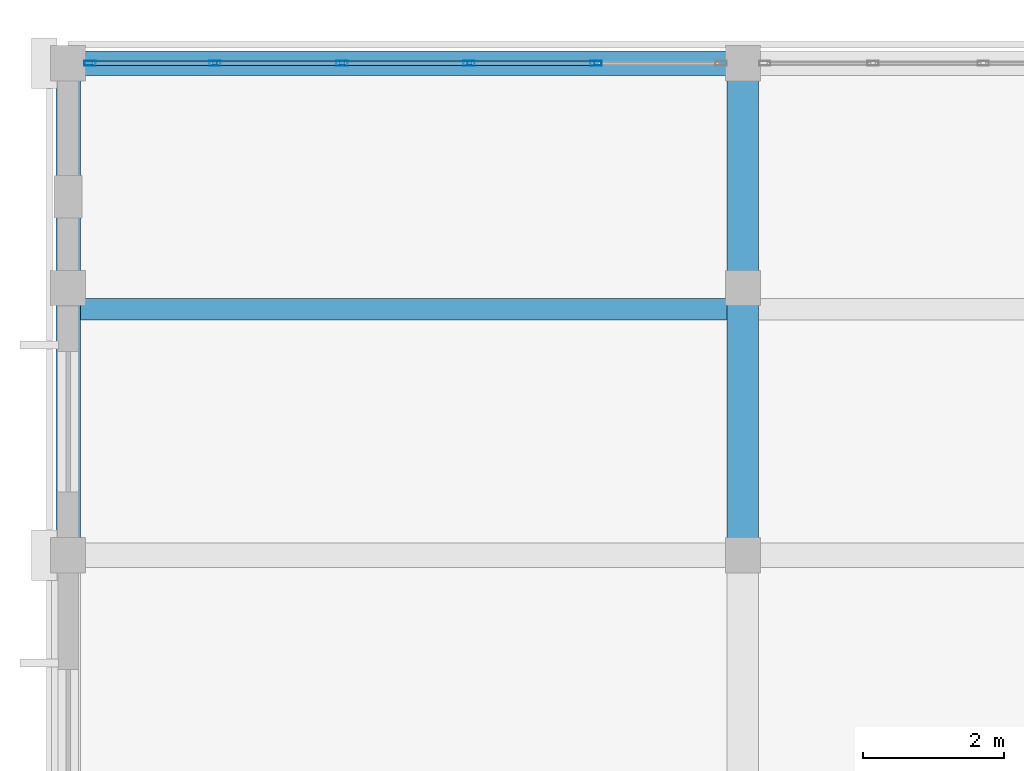
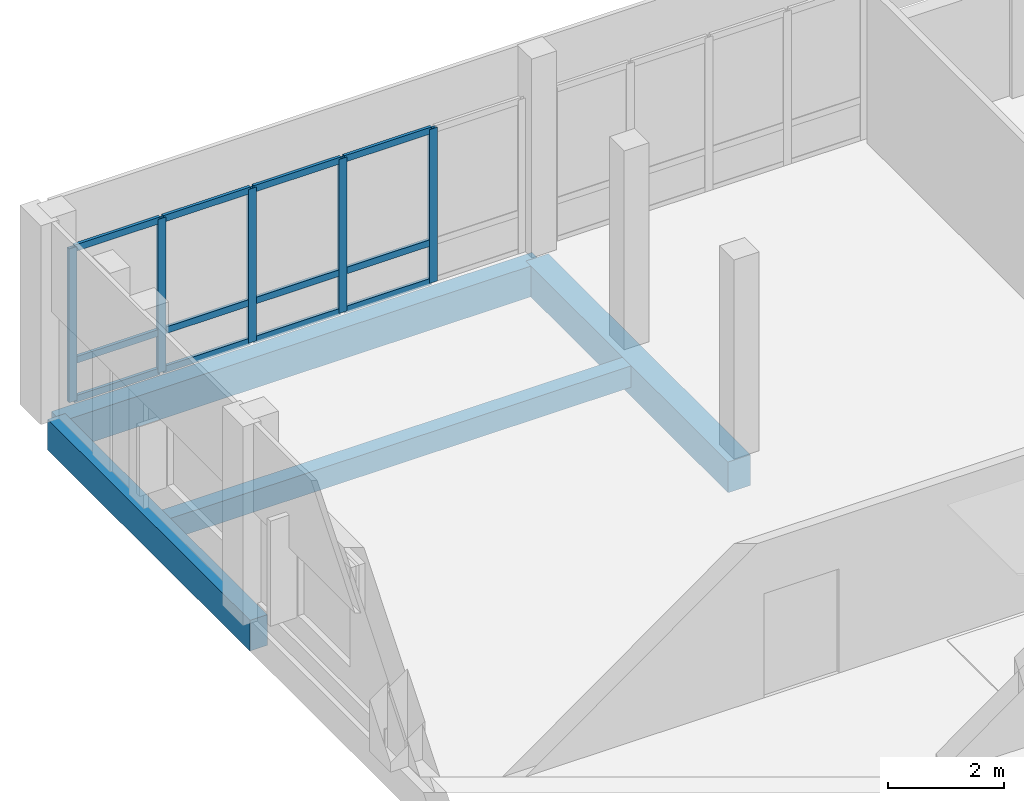
# One storey, part 14 of 29: 17 members, 4 beams, 1 element without a shape of its own.
"""IFC4 building model written with IfcOpenShell, lengths in metres."""

from ifc_helpers import new_model, si_unit, direction, frame, origin, origin_2d, place, context, subcontext, project, spatial, rectangle, hollow_rectangle, extrude, material, material_profile, profile_set, type_object, element, aggregate, save


model = new_model("IFC4")

# Units and contexts
model_context = context("Model", 3, precision=1e-05, world=origin(), true_north=direction((0.0, 1.0)))
body_context = subcontext(model_context, "Body", "Model", "MODEL_VIEW")
ifc_project = project(units=[si_unit("LENGTHUNIT", "METRE"), si_unit("AREAUNIT", "SQUARE_METRE"), si_unit("VOLUMEUNIT", "CUBIC_METRE"), si_unit("PLANEANGLEUNIT", "RADIAN"), si_unit("MASSUNIT", "GRAM", prefix="KILO")], contexts=[model_context])

# Site, building, storey
site_placement = place(None, origin())
site = spatial("IfcSite", under=ifc_project, at=site_placement, CompositionType="ELEMENT")
building_placement = place(site_placement, origin())
building = spatial("IfcBuilding", under=site, at=building_placement, Name="Vondelvale Polytechnic", CompositionType="ELEMENT")
storey_placement = place(building_placement, frame((0.0, 0.0, 26.39990234375)))
storey = spatial("IfcBuildingStorey", under=building, at=storey_placement, Name="L06", CompositionType="ELEMENT", Elevation=26.39990234375)

# Beam
ifc_material_1 = material(Name="Concrete N40 (f'c = 40 MPa)", Category="concrete")
ifc_material_profile_1 = material_profile(ifc_material_1, rectangle(XDim=0.449951171875, YDim=0.64990234375, at=origin_2d()), Name="RC-BM-450x650")
ifc_profile_set_1 = profile_set([ifc_material_profile_1], Name="Concrete N40 (f'c = 40 MPa)")
beam_type_1 = type_object("IfcBeamType", Name="BM-RC450x650", PredefinedType="BEAM", material=ifc_profile_set_1)
beam_1_placement = place(storey_placement, frame((9.60009765625, 30.60009765625, -0.5498046875), z_axis=(0.0, 1.0, 0.0), x_axis=(-1.0, 0.0, 0.0)))
element("IfcBeam", 1, at=beam_1_placement, inside=storey, type_object=beam_type_1, Name="L06 B B-04", PredefinedType="BEAM", context=body_context, shape_type="SweptSolid", body=[
    extrude(rectangle(XDim=0.449951171875, YDim=0.64990234375, at=origin_2d()), origin(), (0.0, 0.0, 1.0), 7.0),
])

# Curtain wall, members
ifc_material_2 = material(Name="Anodised extruded aluminium 6063-T6", Category="aluminium")
curtain_wall_type = type_object("IfcCurtainWallType", Name="CW-STUDIO-NORTH", PredefinedType="NOTDEFINED", material=ifc_material_2)
curtain_wall_placement = place(storey_placement, origin())
curtain_wall = element("IfcCurtainWall", 2, at=curtain_wall_placement, inside=storey, type_object=curtain_wall_type, Name="L06 architectural curtain wall CW-01-053", PredefinedType="NOTDEFINED")
ifc_material_profile_2 = material_profile(ifc_material_2, hollow_rectangle(XDim=0.06494140625, YDim=0.159912109375, WallThickness=0.0048828125, at=origin_2d()), Name="CW-MUL-160x65")
ifc_profile_set_2 = profile_set([ifc_material_profile_2], Name="Anodised extruded aluminium 6063-T6")
member_type_1 = type_object("IfcMemberType", Name="CW-MUL-65x160", PredefinedType="MULLION", material=ifc_profile_set_2)
member_1_placement = place(storey_placement, frame((0.3125, 37.60009765625, 0.0), z_axis=(0.0, 0.0, 1.0), x_axis=(0.0, 1.0, 0.0)))
member_1 = element("IfcMember", 3, at=member_1_placement, type_object=member_type_1, Name="CW-01-053 mullion 1", PredefinedType="MULLION", context=body_context, shape_type="SweptSolid", body=[
    extrude(hollow_rectangle(XDim=0.06494140625, YDim=0.159912109375, WallThickness=0.0048828125, at=origin_2d()), origin(), (0.0, 0.0, 1.0), 3.25),
])
member_2_placement = place(storey_placement, frame((2.087890625, 37.60009765625, 0.0), z_axis=(0.0, 0.0, 1.0), x_axis=(0.0, 1.0, 0.0)))
member_2 = element("IfcMember", 4, at=member_2_placement, type_object=member_type_1, Name="CW-01-053 mullion 2", PredefinedType="MULLION", context=body_context, shape_type="SweptSolid", body=[
    extrude(hollow_rectangle(XDim=0.06494140625, YDim=0.159912109375, WallThickness=0.0048828125, at=origin_2d()), origin(), (0.0, 0.0, 1.0), 3.25),
])
member_3_placement = place(storey_placement, frame((3.89599609375, 37.60009765625, 0.0), z_axis=(0.0, 0.0, 1.0), x_axis=(0.0, 1.0, 0.0)))
member_3 = element("IfcMember", 5, at=member_3_placement, type_object=member_type_1, Name="CW-01-053 mullion 3", PredefinedType="MULLION", context=body_context, shape_type="SweptSolid", body=[
    extrude(hollow_rectangle(XDim=0.06494140625, YDim=0.159912109375, WallThickness=0.0048828125, at=origin_2d()), origin(), (0.0, 0.0, 1.0), 3.25),
])
member_4_placement = place(storey_placement, frame((5.7041015625, 37.60009765625, 0.0), z_axis=(0.0, 0.0, 1.0), x_axis=(0.0, 1.0, 0.0)))
member_4 = element("IfcMember", 6, at=member_4_placement, type_object=member_type_1, Name="CW-01-053 mullion 4", PredefinedType="MULLION", context=body_context, shape_type="SweptSolid", body=[
    extrude(hollow_rectangle(XDim=0.06494140625, YDim=0.159912109375, WallThickness=0.0048828125, at=origin_2d()), origin(), (0.0, 0.0, 1.0), 3.25),
])
member_5_placement = place(storey_placement, frame((7.511962890625, 37.60009765625, 0.0), z_axis=(0.0, 0.0, 1.0), x_axis=(0.0, 1.0, 0.0)))
member_5 = element("IfcMember", 7, at=member_5_placement, type_object=member_type_1, Name="CW-01-053 mullion 5", PredefinedType="MULLION", context=body_context, shape_type="SweptSolid", body=[
    extrude(hollow_rectangle(XDim=0.06494140625, YDim=0.159912109375, WallThickness=0.0048828125, at=origin_2d()), origin(), (0.0, 0.0, 1.0), 3.25),
])
ifc_material_profile_3 = material_profile(ifc_material_2, hollow_rectangle(XDim=0.06005859375, YDim=0.139892578125, WallThickness=0.00341796875, at=origin_2d()), Name="CW-TRN-140x60")
ifc_profile_set_3 = profile_set([ifc_material_profile_3], Name="Anodised extruded aluminium 6063-T6")
member_type_2 = type_object("IfcMemberType", Name="CW-TRN-60x140", PredefinedType="USERDEFINED", material=ifc_profile_set_3)
member_6_placement = place(storey_placement, frame((0.344970703125, 37.60009765625, 0.030029296875), z_axis=(1.0, 0.0, 0.0), x_axis=(0.0, 1.0, 0.0)))
member_6 = element("IfcMember", 8, at=member_6_placement, type_object=member_type_2, Name="CW-01-053 transom 1.1", ObjectType="TRANSOM", PredefinedType="USERDEFINED", context=body_context, shape_type="SweptSolid", body=[
    extrude(hollow_rectangle(XDim=0.06005859375, YDim=0.139892578125, WallThickness=0.00341796875, at=origin_2d()), origin(), (0.0, 0.0, 1.0), 1.71044921875),
])
member_7_placement = place(storey_placement, frame((0.344970703125, 37.60009765625, 0.85009765625), z_axis=(1.0, 0.0, 0.0), x_axis=(0.0, 1.0, 0.0)))
member_7 = element("IfcMember", 9, at=member_7_placement, type_object=member_type_2, Name="CW-01-053 transom 1.2", ObjectType="TRANSOM", PredefinedType="USERDEFINED", context=body_context, shape_type="SweptSolid", body=[
    extrude(hollow_rectangle(XDim=0.06005859375, YDim=0.139892578125, WallThickness=0.00341796875, at=origin_2d()), origin(), (0.0, 0.0, 1.0), 1.71044921875),
])
member_8_placement = place(storey_placement, frame((0.344970703125, 37.60009765625, 3.22021484375), z_axis=(1.0, 0.0, 0.0), x_axis=(0.0, 1.0, 0.0)))
member_8 = element("IfcMember", 10, at=member_8_placement, type_object=member_type_2, Name="CW-01-053 transom 1.3", ObjectType="TRANSOM", PredefinedType="USERDEFINED", context=body_context, shape_type="SweptSolid", body=[
    extrude(hollow_rectangle(XDim=0.06005859375, YDim=0.139892578125, WallThickness=0.00341796875, at=origin_2d()), origin(), (0.0, 0.0, 1.0), 1.71044921875),
])
member_9_placement = place(storey_placement, frame((2.12060546875, 37.60009765625, 0.030029296875), z_axis=(1.0, 0.0, 0.0), x_axis=(0.0, 1.0, 0.0)))
member_9 = element("IfcMember", 11, at=member_9_placement, type_object=member_type_2, Name="CW-01-053 transom 2.1", ObjectType="TRANSOM", PredefinedType="USERDEFINED", context=body_context, shape_type="SweptSolid", body=[
    extrude(hollow_rectangle(XDim=0.06005859375, YDim=0.139892578125, WallThickness=0.00341796875, at=origin_2d()), origin(), (0.0, 0.0, 1.0), 1.742919921875),
])
member_10_placement = place(storey_placement, frame((2.12060546875, 37.60009765625, 0.85009765625), z_axis=(1.0, 0.0, 0.0), x_axis=(0.0, 1.0, 0.0)))
member_10 = element("IfcMember", 12, at=member_10_placement, type_object=member_type_2, Name="CW-01-053 transom 2.2", ObjectType="TRANSOM", PredefinedType="USERDEFINED", context=body_context, shape_type="SweptSolid", body=[
    extrude(hollow_rectangle(XDim=0.06005859375, YDim=0.139892578125, WallThickness=0.00341796875, at=origin_2d()), origin(), (0.0, 0.0, 1.0), 1.742919921875),
])
member_11_placement = place(storey_placement, frame((2.12060546875, 37.60009765625, 3.22021484375), z_axis=(1.0, 0.0, 0.0), x_axis=(0.0, 1.0, 0.0)))
member_11 = element("IfcMember", 13, at=member_11_placement, type_object=member_type_2, Name="CW-01-053 transom 2.3", ObjectType="TRANSOM", PredefinedType="USERDEFINED", context=body_context, shape_type="SweptSolid", body=[
    extrude(hollow_rectangle(XDim=0.06005859375, YDim=0.139892578125, WallThickness=0.00341796875, at=origin_2d()), origin(), (0.0, 0.0, 1.0), 1.742919921875),
])
member_12_placement = place(storey_placement, frame((3.928466796875, 37.60009765625, 0.030029296875), z_axis=(1.0, 0.0, 0.0), x_axis=(0.0, 1.0, 0.0)))
member_12 = element("IfcMember", 14, at=member_12_placement, type_object=member_type_2, Name="CW-01-053 transom 3.1", ObjectType="TRANSOM", PredefinedType="USERDEFINED", context=body_context, shape_type="SweptSolid", body=[
    extrude(hollow_rectangle(XDim=0.06005859375, YDim=0.139892578125, WallThickness=0.00341796875, at=origin_2d()), origin(), (0.0, 0.0, 1.0), 1.742919921875),
])
member_13_placement = place(storey_placement, frame((3.928466796875, 37.60009765625, 0.85009765625), z_axis=(1.0, 0.0, 0.0), x_axis=(0.0, 1.0, 0.0)))
member_13 = element("IfcMember", 15, at=member_13_placement, type_object=member_type_2, Name="CW-01-053 transom 3.2", ObjectType="TRANSOM", PredefinedType="USERDEFINED", context=body_context, shape_type="SweptSolid", body=[
    extrude(hollow_rectangle(XDim=0.06005859375, YDim=0.139892578125, WallThickness=0.00341796875, at=origin_2d()), origin(), (0.0, 0.0, 1.0), 1.742919921875),
])
member_14_placement = place(storey_placement, frame((3.928466796875, 37.60009765625, 3.22021484375), z_axis=(1.0, 0.0, 0.0), x_axis=(0.0, 1.0, 0.0)))
member_14 = element("IfcMember", 16, at=member_14_placement, type_object=member_type_2, Name="CW-01-053 transom 3.3", ObjectType="TRANSOM", PredefinedType="USERDEFINED", context=body_context, shape_type="SweptSolid", body=[
    extrude(hollow_rectangle(XDim=0.06005859375, YDim=0.139892578125, WallThickness=0.00341796875, at=origin_2d()), origin(), (0.0, 0.0, 1.0), 1.742919921875),
])
member_15_placement = place(storey_placement, frame((5.736572265625, 37.60009765625, 0.030029296875), z_axis=(1.0, 0.0, 0.0), x_axis=(0.0, 1.0, 0.0)))
member_15 = element("IfcMember", 17, at=member_15_placement, type_object=member_type_2, Name="CW-01-053 transom 4.1", ObjectType="TRANSOM", PredefinedType="USERDEFINED", context=body_context, shape_type="SweptSolid", body=[
    extrude(hollow_rectangle(XDim=0.06005859375, YDim=0.139892578125, WallThickness=0.00341796875, at=origin_2d()), origin(), (0.0, 0.0, 1.0), 1.742919921875),
])
member_16_placement = place(storey_placement, frame((5.736572265625, 37.60009765625, 0.85009765625), z_axis=(1.0, 0.0, 0.0), x_axis=(0.0, 1.0, 0.0)))
member_16 = element("IfcMember", 18, at=member_16_placement, type_object=member_type_2, Name="CW-01-053 transom 4.2", ObjectType="TRANSOM", PredefinedType="USERDEFINED", context=body_context, shape_type="SweptSolid", body=[
    extrude(hollow_rectangle(XDim=0.06005859375, YDim=0.139892578125, WallThickness=0.00341796875, at=origin_2d()), origin(), (0.0, 0.0, 1.0), 1.742919921875),
])
member_17_placement = place(storey_placement, frame((5.736572265625, 37.60009765625, 3.22021484375), z_axis=(1.0, 0.0, 0.0), x_axis=(0.0, 1.0, 0.0)))
member_17 = element("IfcMember", 19, at=member_17_placement, type_object=member_type_2, Name="CW-01-053 transom 4.3", ObjectType="TRANSOM", PredefinedType="USERDEFINED", context=body_context, shape_type="SweptSolid", body=[
    extrude(hollow_rectangle(XDim=0.06005859375, YDim=0.139892578125, WallThickness=0.00341796875, at=origin_2d()), origin(), (0.0, 0.0, 1.0), 1.742919921875),
])
aggregate(curtain_wall, [member_1, member_2, member_3, member_4, member_5, member_6, member_7, member_8, member_9, member_10, member_11, member_12, member_13, member_14, member_15, member_16, member_17])

# Beams
ifc_material_profile_4 = material_profile(ifc_material_1, rectangle(XDim=0.300048828125, YDim=0.449951171875, at=origin_2d()), Name="RC-JST-300x450")
ifc_profile_set_4 = profile_set([ifc_material_profile_4], Name="Concrete N40 (f'c = 40 MPa)")
beam_type_2 = type_object("IfcBeamType", Name="JST-RC300x450", PredefinedType="JOIST", material=ifc_profile_set_4)
beam_2_placement = place(storey_placement, frame((0.175048828125, 34.10009765625, -0.449951171875), z_axis=(1.0, 0.0, 0.0), x_axis=(0.0, 1.0, 0.0)))
element("IfcBeam", 20, at=beam_2_placement, inside=storey, type_object=beam_type_2, Name="L06 J J-03", PredefinedType="JOIST", context=body_context, shape_type="SweptSolid", body=[
    extrude(rectangle(XDim=0.300048828125, YDim=0.449951171875, at=origin_2d()), origin(), (0.0, 0.0, 1.0), 9.199951171875),
])
ifc_material_3 = material(Name="Precast concrete N40 (f'c = 40 MPa)", Category="concrete")
ifc_material_profile_5 = material_profile(ifc_material_3, rectangle(XDim=0.35009765625, YDim=0.64990234375, at=origin_2d()), Name="RC-SPN-350x650")
ifc_profile_set_5 = profile_set([ifc_material_profile_5], Name="Precast concrete N40 (f'c = 40 MPa)")
beam_type_3 = type_object("IfcBeamType", Name="SPN-PRE350x650", PredefinedType="SPANDREL", material=ifc_profile_set_5)
beam_3_placement = place(storey_placement, frame((0.0, 37.60009765625, -0.5498046875), z_axis=(1.0, 0.0, 0.0), x_axis=(0.0, 1.0, 0.0)))
element("IfcBeam", 21, at=beam_3_placement, inside=storey, type_object=beam_type_3, Name="L06 B SP-02", PredefinedType="SPANDREL", context=body_context, shape_type="SweptSolid", body=[
    extrude(rectangle(XDim=0.35009765625, YDim=0.64990234375, at=origin_2d()), origin(), (0.0, 0.0, 1.0), 9.60009765625),
])
beam_4_placement = place(storey_placement, frame((0.0, 30.60009765625, -0.5498046875), z_axis=(0.0, 1.0, 0.0), x_axis=(-1.0, 0.0, 0.0)))
element("IfcBeam", 22, at=beam_4_placement, inside=storey, type_object=beam_type_3, Name="L06 B SP-02", PredefinedType="SPANDREL", context=body_context, shape_type="SweptSolid", body=[
    extrude(rectangle(XDim=0.35009765625, YDim=0.64990234375, at=origin_2d()), origin(), (0.0, 0.0, 1.0), 7.0),
])

save(model, "model.ifc")
